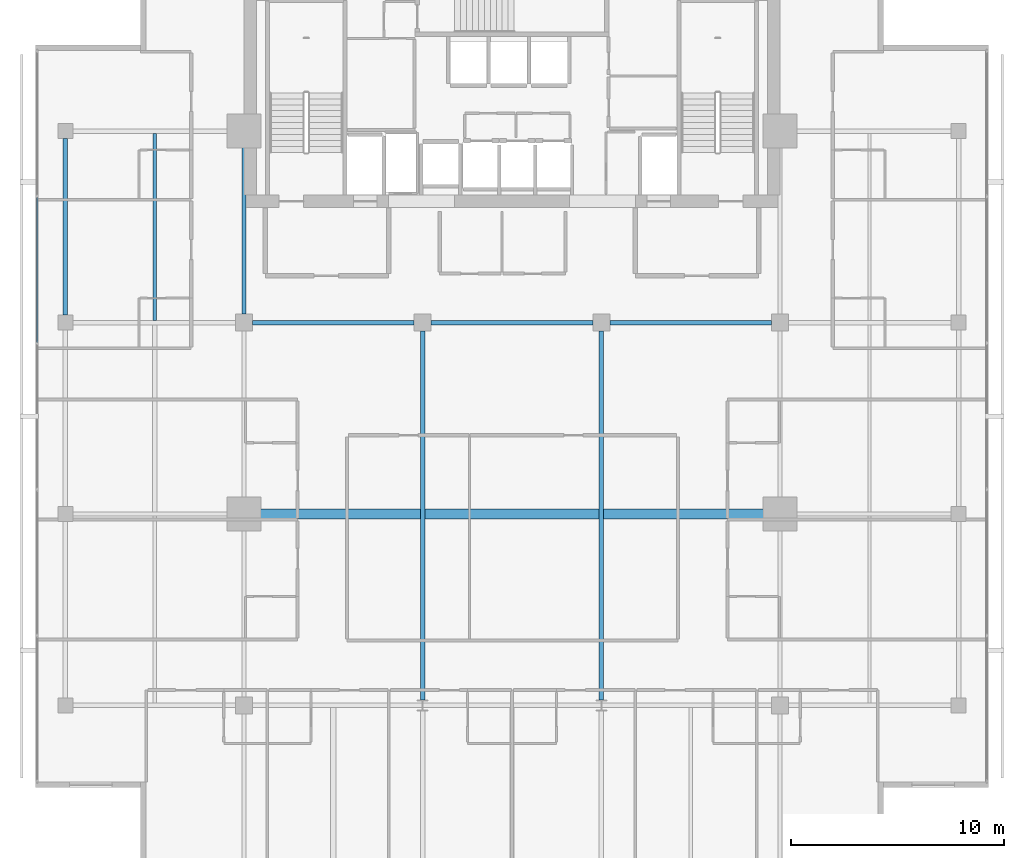
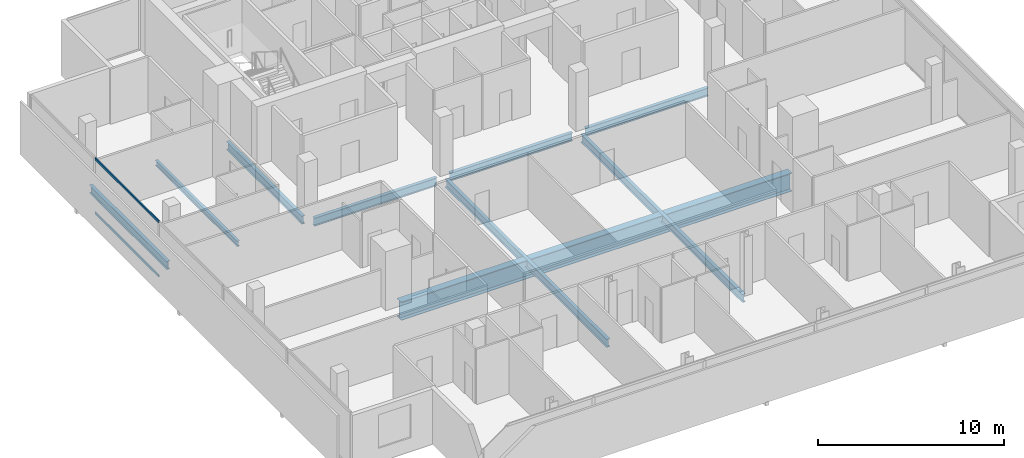
# One storey, part 9 of 26: 9 beams, 2 members, 1 element without a shape of its own.
"""IFC4 building model written with IfcOpenShell, lengths in metres."""

from ifc_helpers import new_model, si_unit, direction, frame, origin, origin_2d, place, context, subcontext, project, spatial, hollow_rectangle, i_section, extrude, material, layer, layer_set, material_profile, profile_set, type_object, element, aggregate, save


model = new_model("IFC4")

# Units and contexts
model_context = context("Model", 3, precision=1e-05, world=origin(), true_north=direction((0.0, 1.0)))
body_context = subcontext(model_context, "Body", "Model", "MODEL_VIEW")
ifc_project = project(units=[si_unit("LENGTHUNIT", "METRE"), si_unit("AREAUNIT", "SQUARE_METRE"), si_unit("VOLUMEUNIT", "CUBIC_METRE"), si_unit("PLANEANGLEUNIT", "RADIAN"), si_unit("MASSUNIT", "GRAM", prefix="KILO")], contexts=[model_context])

# Site, building, storey
site_placement = place(None, origin())
site = spatial("IfcSite", under=ifc_project, at=site_placement, CompositionType="ELEMENT")
building_placement = place(site_placement, origin())
building = spatial("IfcBuilding", under=site, at=building_placement, Name="Maruvema Waterfront Hotel and Observation Tower", CompositionType="ELEMENT")
storey_placement = place(building_placement, frame((0.0, 0.0, 243.25)))
storey = spatial("IfcBuildingStorey", under=building, at=storey_placement, Name="L59", CompositionType="ELEMENT", Elevation=243.25)

# Curtain wall, members
ifc_material_1 = material(Name="Anodised bronze aluminium and solar-control low-E IGU", Category="aluminium")
ifc_layer = layer(ifc_material_1, 0.159912109375, Name="Zone 3 Champagne Inner Thermal Curtain Wall System CW-04")
ifc_layer_set = layer_set([ifc_layer], Name="Anodised bronze aluminium and solar-control low-E IGU")
curtain_wall_type = type_object("IfcCurtainWallType", Name="Zone 3 Champagne Inner Thermal Curtain Wall System CW-04", PredefinedType="USERDEFINED", material=ifc_layer_set)
curtain_wall_placement = place(storey_placement, origin())
curtain_wall = element("IfcCurtainWall", 1, at=curtain_wall_placement, inside=storey, type_object=curtain_wall_type, Name="L59 Curtain Wall CW-L59-W", ObjectType="UNITISED CURTAIN WALL", PredefinedType="USERDEFINED")
ifc_material_2 = material(Name="Anodised architectural bronze aluminium", Category="aluminium")
ifc_material_profile_1 = material_profile(ifc_material_2, hollow_rectangle(XDim=0.070068359375, YDim=0.14990234375, WallThickness=0.00390625, at=origin_2d()), Name="ALU-T70x150")
ifc_profile_set_1 = profile_set([ifc_material_profile_1], Name="Anodised architectural bronze aluminium")
member_type = type_object("IfcMemberType", Name="Curtain Wall Horizontal Transom ALU-T70x150", PredefinedType="USERDEFINED", material=ifc_profile_set_1)
member_1_placement = place(storey_placement, frame((15.47998046875, 41.889892578125, 0.030029296875), z_axis=(0.0, -1.0, 0.0), x_axis=(1.0, 0.0, 0.0)))
member_1 = element("IfcMember", 2, at=member_1_placement, type_object=member_type, Name="CW-04 transom 2.1", ObjectType="TRANSOM", PredefinedType="USERDEFINED", context=body_context, shape_type="SweptSolid", body=[
    extrude(hollow_rectangle(XDim=0.070068359375, YDim=0.14990234375, WallThickness=0.00390625, at=origin_2d()), origin(), (0.0, 0.0, 1.0), 6.81982421875),
])
member_2_placement = place(storey_placement, frame((15.47998046875, 41.889892578125, 3.580078125), z_axis=(0.0, -1.0, 0.0), x_axis=(1.0, 0.0, 0.0)))
member_2 = element("IfcMember", 3, at=member_2_placement, type_object=member_type, Name="CW-04 transom 2.2", ObjectType="TRANSOM", PredefinedType="USERDEFINED", context=body_context, shape_type="SweptSolid", body=[
    extrude(hollow_rectangle(XDim=0.070068359375, YDim=0.14990234375, WallThickness=0.00390625, at=origin_2d()), origin(), (0.0, 0.0, 1.0), 6.81982421875),
])
aggregate(curtain_wall, [member_1, member_2])

# Beams
ifc_material_3 = material(Name="Steel ASTM A572 Grade 50", Category="steel")
ifc_material_profile_2 = material_profile(ifc_material_3, i_section(OverallWidth=0.208984375, OverallDepth=0.532958984375, WebThickness=0.01025390625, FlangeThickness=0.015625, FilletRadius=0.014892578125, at=origin_2d()), Name="W530x92.0")
ifc_profile_set_2 = profile_set([ifc_material_profile_2], Name="Steel ASTM A572 Grade 50")
beam_type_1 = type_object("IfcBeamType", Name="Primary Floor Girder W530x92.0", PredefinedType="BEAM", material=ifc_profile_set_2)
beam_1_placement = place(storey_placement, frame((25.60009765625, 36.0, -0.506591796875), z_axis=(1.0, 0.0, 0.0), x_axis=(0.0, 1.0, 0.0)))
element("IfcBeam", 4, at=beam_1_placement, inside=storey, type_object=beam_type_1, Name="L59 Floor Girder EW-13", PredefinedType="BEAM", context=body_context, shape_type="SweptSolid", body=[
    extrude(i_section(OverallWidth=0.208984375, OverallDepth=0.532958984375, WebThickness=0.01025390625, FlangeThickness=0.015625, FilletRadius=0.014892578125, at=origin_2d()), origin(), (0.0, 0.0, 1.0), 7.599853515625),
])
for number, where, z_axis, x_axis, name in (
    (5, (34.0, 36.0, -0.506591796875), (1.0, 0.0, 0.0), (0.0, 1.0, 0.0), "L59 Floor Girder EW-14"),
    (6, (42.39990234375, 36.0, -0.506591796875), (1.0, 0.0, 0.0), (0.0, 1.0, 0.0), "L59 Floor Girder EW-15"),
):
    element("IfcBeam", number, at=place(storey_placement, frame(where, z_axis=z_axis, x_axis=x_axis)), inside=storey, type_object=beam_type_1, Name=name, PredefinedType="BEAM", context=body_context, shape_type="SweptSolid", body=[
        extrude(i_section(OverallWidth=0.208984375, OverallDepth=0.532958984375, WebThickness=0.01025390625, FlangeThickness=0.015625, FilletRadius=0.014892578125, at=origin_2d()), origin(), (0.0, 0.0, 1.0), 7.60009765625),
    ])
beam_2_placement = place(storey_placement, frame((16.800048828125, 36.35009765625, -0.506591796875), z_axis=(0.0, 1.0, 0.0), x_axis=(-1.0, 0.0, 0.0)))
element("IfcBeam", 7, at=beam_2_placement, inside=storey, type_object=beam_type_1, Name="L59 Floor Girder NS-03", PredefinedType="BEAM", context=body_context, shape_type="SweptSolid", body=[
    extrude(i_section(OverallWidth=0.208984375, OverallDepth=0.532958984375, WebThickness=0.01025390625, FlangeThickness=0.015625, FilletRadius=0.014892578125, at=origin_2d()), origin(), (0.0, 0.0, 1.0), 8.2998046875),
])
beam_3_placement = place(storey_placement, frame((25.199951171875, 36.39990234375, -0.506591796875), z_axis=(0.0, 1.0, 0.0), x_axis=(-1.0, 0.0, 0.0)))
element("IfcBeam", 8, at=beam_3_placement, inside=storey, type_object=beam_type_1, Name="L59 Floor Girder NS-07", PredefinedType="BEAM", context=body_context, shape_type="SweptSolid", body=[
    extrude(i_section(OverallWidth=0.208984375, OverallDepth=0.532958984375, WebThickness=0.01025390625, FlangeThickness=0.015625, FilletRadius=0.014892578125, at=origin_2d()), origin(), (0.0, 0.0, 1.0), 8.10009765625),
])
for number, where, z_axis, x_axis, name in (
    (9, (33.60009765625, 18.25, -0.506591796875), (0.0, 1.0, 0.0), (-1.0, 0.0, 0.0), "L59 Floor Girder NS-09"),
    (10, (42.0, 18.25, -0.506591796875), (0.0, 1.0, 0.0), (-1.0, 0.0, 0.0), "L59 Floor Girder NS-11"),
):
    element("IfcBeam", number, at=place(storey_placement, frame(where, z_axis=z_axis, x_axis=x_axis)), inside=storey, type_object=beam_type_1, Name=name, PredefinedType="BEAM", context=body_context, shape_type="SweptSolid", body=[
        extrude(i_section(OverallWidth=0.208984375, OverallDepth=0.532958984375, WebThickness=0.01025390625, FlangeThickness=0.015625, FilletRadius=0.014892578125, at=origin_2d()), origin(), (0.0, 0.0, 1.0), 17.35009765625),
    ])
ifc_material_4 = material(Name="Steel ASTM A572 Grade 50", Category="steel")
ifc_material_profile_3 = material_profile(ifc_material_4, i_section(OverallWidth=0.1708984375, OverallDepth=0.35498046875, WebThickness=0.007080078125, FlangeThickness=0.01171875, FilletRadius=0.014892578125, at=origin_2d()), Name="W360x51.0")
ifc_profile_set_3 = profile_set([ifc_material_profile_3], Name="Steel ASTM A572 Grade 50")
beam_type_2 = type_object("IfcBeamType", Name="Secondary Floor Joist W360x51.0", PredefinedType="JOIST", material=ifc_profile_set_3)
beam_4_placement = place(storey_placement, frame((21.0, 36.1044921875, -0.41748046875), z_axis=(0.0, 1.0, 0.0), x_axis=(-1.0, 0.0, 0.0)))
element("IfcBeam", 11, at=beam_4_placement, inside=storey, type_object=beam_type_2, Name="L59 Secondary Floor Joist JS-03", PredefinedType="JOIST", context=body_context, shape_type="SweptSolid", body=[
    extrude(i_section(OverallWidth=0.1708984375, OverallDepth=0.35498046875, WebThickness=0.007080078125, FlangeThickness=0.01171875, FilletRadius=0.014892578125, at=origin_2d()), origin(), (0.0, 0.0, 1.0), 8.791015625),
])
ifc_material_5 = material(Name="Steel ABNT NBR 7007 AR 415 (ASTM A572 Grade 50)", Category="steel")
ifc_material_profile_4 = material_profile(ifc_material_5, i_section(OverallWidth=0.449951171875, OverallDepth=1.199951171875, WebThickness=0.01904296875, FlangeThickness=0.031982421875, at=origin_2d()), Name="VS1200x366")
ifc_profile_set_4 = profile_set([ifc_material_profile_4], Name="Steel ABNT NBR 7007 AR 415 (ASTM A572 Grade 50)")
beam_type_3 = type_object("IfcBeamType", Name="Upper Setback Transfer Girder VS1200x366", PredefinedType="USERDEFINED", material=ifc_profile_set_4)
beam_5_placement = place(storey_placement, frame((25.699951171875, 27.0, -0.840087890625), z_axis=(1.0, 0.0, 0.0), x_axis=(0.0, 1.0, 0.0)))
element("IfcBeam", 12, at=beam_5_placement, inside=storey, type_object=beam_type_3, Name="L59 Floor Girder EW-10", ObjectType="TRANSFER GIRDER", PredefinedType="USERDEFINED", context=body_context, shape_type="SweptSolid", body=[
    extrude(i_section(OverallWidth=0.449951171875, OverallDepth=1.199951171875, WebThickness=0.01904296875, FlangeThickness=0.031982421875, at=origin_2d()), origin(), (0.0, 0.0, 1.0), 24.199951171875),
])

save(model, "model.ifc")
